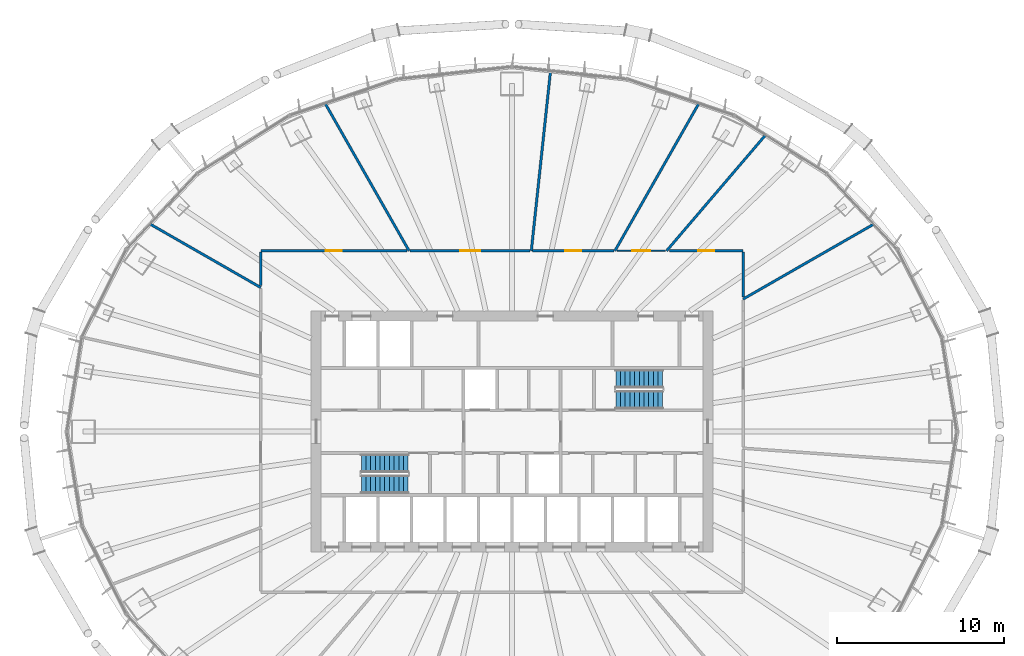
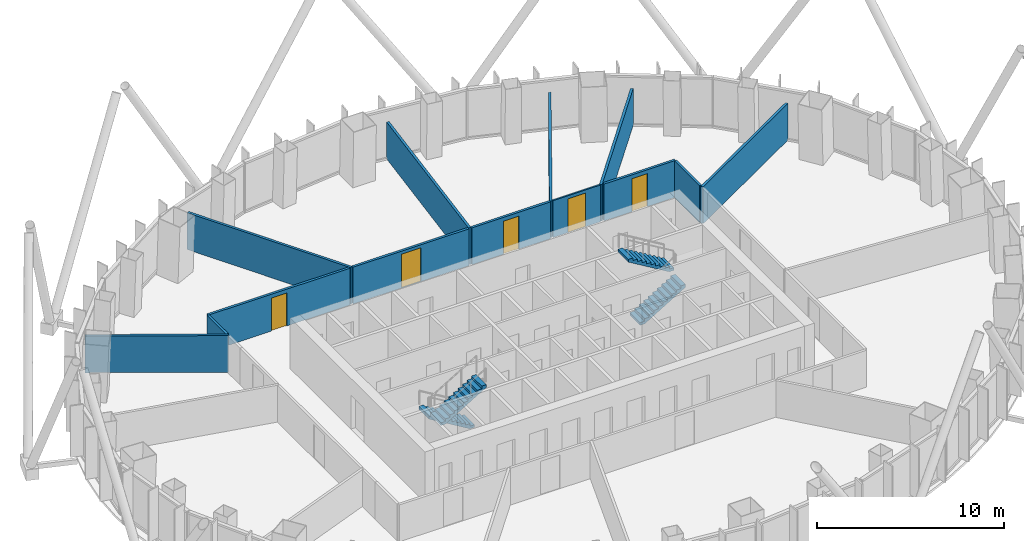
# One storey, part 10 of 18: 13 walls, 5 doors, 4 stair flights, 5 openings, 2 elements without a shape of their own.
"""IFC4 building model written with IfcOpenShell, lengths in metres."""

from ifc_helpers import new_model, si_unit, direction, frame, frame_2d, origin, place, context, subcontext, project, spatial, polyline, rectangle, outline, extrude, material, layer, layer_set, type_object, element, fill, aggregate, save


model = new_model("IFC4")

# Units and contexts
model_context = context("Model", 3, precision=1e-05, world=origin(), true_north=direction((0.0, 1.0)))
body_context = subcontext(model_context, "Body", "Model", "MODEL_VIEW")
ifc_project = project(units=[si_unit("LENGTHUNIT", "METRE"), si_unit("AREAUNIT", "SQUARE_METRE"), si_unit("VOLUMEUNIT", "CUBIC_METRE"), si_unit("PLANEANGLEUNIT", "RADIAN"), si_unit("MASSUNIT", "GRAM", prefix="KILO")], contexts=[model_context])

# Site, building, storey
site_placement = place(None, origin())
site = spatial("IfcSite", under=ifc_project, at=site_placement, CompositionType="ELEMENT")
building_placement = place(site_placement, origin())
building = spatial("IfcBuilding", under=site, at=building_placement, Name="Siaravel Broadcast Tower", CompositionType="ELEMENT")
storey_placement = place(building_placement, frame((0.0, 0.0, 81.5)))
storey = spatial("IfcBuildingStorey", under=building, at=storey_placement, Name="L19", CompositionType="ELEMENT", Elevation=81.5)

# Wall, opening, door
ifc_material_1 = material(Name="Gypsum board partition", Category="gypsum")
ifc_layer_1 = layer(ifc_material_1, 0.14990234375)
ifc_layer_set_1 = layer_set([ifc_layer_1], Name="Gypsum board partition")
wall_type_1 = type_object("IfcWallType", Name="Corridor wall 150", PredefinedType="PARTITIONING", material=ifc_layer_set_1)
wall_1_placement = place(storey_placement, frame((-6.279296875, 10.800048828125, 0.0), z_axis=(0.0, 0.0, 1.0), x_axis=(-1.0, 0.0, 0.0)))
wall_1 = element("IfcWall", 1, at=wall_1_placement, inside=storey, type_object=wall_type_1, Name="L19 partition 14", PredefinedType="PARTITIONING", context=body_context, shape_type="SweptSolid", body=[
    extrude(rectangle(XDim=8.720703125, YDim=0.14990234375, at=frame_2d((4.3603515625, 0.0))), origin(), (0.0, 0.0, 1.0), 2.39990234375),
])
opening_1_placement = place(wall_1_placement, frame((3.885498046875, 0.0, 0.0)))
opening_1 = element("IfcOpeningElement", 2, at=opening_1_placement, cuts=wall_1, Name="Opening L19-003", PredefinedType="OPENING", context=body_context, shape_type="SweptSolid", body=[
    extrude(rectangle(XDim=0.949951171875, YDim=2.14990234375, at=frame_2d((0.47509765625, 1.074951171875))), frame((0.0, 0.0849609375, 0.0), z_axis=(0.0, -1.0, 0.0), x_axis=(1.0, 0.0, 0.0)), (0.0, 0.0, 1.0), 0.169921875),
])
ifc_material_2 = material(Name="Timber veneer", Category="wood")
door_type_1 = type_object("IfcDoorType", Name="Office door 950", OperationType="SINGLE_SWING_LEFT", PredefinedType="DOOR", material=ifc_material_2)
door_1_placement = place(opening_1_placement, origin())
door_1 = element("IfcDoor", 3, at=door_1_placement, inside=storey, type_object=door_type_1, Name="L19 door to Graphics studio", OperationType="SINGLE_SWING_LEFT", OverallHeight=2.14990234375, OverallWidth=0.949951171875, PredefinedType="DOOR", context=body_context, shape_type="SweptSolid", body=[
    extrude(rectangle(XDim=0.949951171875, YDim=2.14990234375, at=frame_2d((0.47509765625, 1.074951171875))), frame((0.0, 0.02490234375, 0.0), z_axis=(0.0, -1.0, 0.0), x_axis=(1.0, 0.0, 0.0)), (0.0, 0.0, 1.0), 0.050048828125),
])
fill(opening_1, door_1)

wall_2_placement = place(storey_placement, frame((1.076904296875, 10.800048828125, 0.0), z_axis=(0.0, 0.0, 1.0), x_axis=(-1.0, 0.0, 0.0)))
wall_2 = element("IfcWall", 4, at=wall_2_placement, inside=storey, type_object=wall_type_1, Name="L19 partition 17", PredefinedType="PARTITIONING", context=body_context, shape_type="SweptSolid", body=[
    extrude(rectangle(XDim=7.157958984375, YDim=0.14990234375, at=frame_2d((3.5791015625, 0.0))), origin(), (0.0, 0.0, 1.0), 2.39990234375),
])
opening_2_placement = place(wall_2_placement, frame((2.97900390625, 0.0, 0.0)))
opening_2 = element("IfcOpeningElement", 5, at=opening_2_placement, cuts=wall_2, Name="Opening L19-002", PredefinedType="OPENING", context=body_context, shape_type="SweptSolid", body=[
    extrude(rectangle(XDim=1.199951171875, YDim=2.199951171875, at=frame_2d((0.60009765625, 1.10009765625))), frame((0.0, 0.0849609375, 0.0), z_axis=(0.0, -1.0, 0.0), x_axis=(1.0, 0.0, 0.0)), (0.0, 0.0, 1.0), 0.169921875),
])
door_type_2 = type_object("IfcDoorType", Name="Office double door 1200", OperationType="DOUBLE_DOOR_SINGLE_SWING", PredefinedType="DOOR", material=ifc_material_2)
door_2_placement = place(opening_2_placement, origin())
door_2 = element("IfcDoor", 6, at=door_2_placement, inside=storey, type_object=door_type_2, Name="L19 door to Newsroom desk office", OperationType="DOUBLE_DOOR_SINGLE_SWING", OverallHeight=2.199951171875, OverallWidth=1.199951171875, PredefinedType="DOOR", context=body_context, shape_type="SweptSolid", body=[
    extrude(rectangle(XDim=1.199951171875, YDim=2.199951171875, at=frame_2d((0.60009765625, 1.10009765625))), frame((0.0, 0.02490234375, 0.0), z_axis=(0.0, -1.0, 0.0), x_axis=(1.0, 0.0, 0.0)), (0.0, 0.0, 1.0), 0.050048828125),
])
fill(opening_2, door_2)

wall_3_placement = place(storey_placement, frame((6.0810546875, 10.800048828125, 0.0), z_axis=(0.0, 0.0, 1.0), x_axis=(-1.0, 0.0, 0.0)))
wall_3 = element("IfcWall", 7, at=wall_3_placement, inside=storey, type_object=wall_type_1, Name="L19 partition 22", PredefinedType="PARTITIONING", context=body_context, shape_type="SweptSolid", body=[
    extrude(rectangle(XDim=4.842041015625, YDim=0.14990234375, at=frame_2d((2.4208984375, 0.0))), origin(), (0.0, 0.0, 1.0), 2.39990234375),
])
opening_3_placement = place(wall_3_placement, frame((1.946044921875, 0.0, 0.0)))
opening_3 = element("IfcOpeningElement", 8, at=opening_3_placement, cuts=wall_3, Name="Opening L19-001", PredefinedType="OPENING", context=body_context, shape_type="SweptSolid", body=[
    extrude(rectangle(XDim=0.949951171875, YDim=2.14990234375, at=frame_2d((0.47509765625, 1.074951171875))), frame((0.0, 0.0849609375, 0.0), z_axis=(0.0, -1.0, 0.0), x_axis=(1.0, 0.0, 0.0)), (0.0, 0.0, 1.0), 0.169921875),
])
door_3_placement = place(opening_3_placement, origin())
door_3 = element("IfcDoor", 9, at=door_3_placement, inside=storey, type_object=door_type_1, Name="L19 door to Graphics studio", OperationType="SINGLE_SWING_LEFT", OverallHeight=2.14990234375, OverallWidth=0.949951171875, PredefinedType="DOOR", context=body_context, shape_type="SweptSolid", body=[
    extrude(rectangle(XDim=0.949951171875, YDim=2.14990234375, at=frame_2d((0.47509765625, 1.074951171875))), frame((0.0, 0.02490234375, 0.0), z_axis=(0.0, -1.0, 0.0), x_axis=(1.0, 0.0, 0.0)), (0.0, 0.0, 1.0), 0.050048828125),
])
fill(opening_3, door_3)

wall_4_placement = place(storey_placement, frame((13.800048828125, 10.800048828125, 0.0), z_axis=(0.0, 0.0, 1.0), x_axis=(-1.0, 0.0, 0.0)))
wall_4 = element("IfcWall", 10, at=wall_4_placement, inside=storey, type_object=wall_type_1, Name="L19 partition 23", PredefinedType="PARTITIONING", context=body_context, shape_type="SweptSolid", body=[
    extrude(rectangle(XDim=4.403076171875, YDim=0.14990234375, at=frame_2d((2.20166015625, 0.0))), origin(), (0.0, 0.0, 1.0), 2.39990234375),
])
opening_4_placement = place(wall_4_placement, frame((1.7265625, 0.0, 0.0)))
opening_4 = element("IfcOpeningElement", 11, at=opening_4_placement, cuts=wall_4, Name="Opening L19-012", PredefinedType="OPENING", context=body_context, shape_type="SweptSolid", body=[
    extrude(rectangle(XDim=0.949951171875, YDim=2.14990234375, at=frame_2d((0.47509765625, 1.074951171875))), frame((0.0, 0.0849609375, 0.0), z_axis=(0.0, -1.0, 0.0), x_axis=(1.0, 0.0, 0.0)), (0.0, 0.0, 1.0), 0.169921875),
])
door_4_placement = place(opening_4_placement, origin())
door_4 = element("IfcDoor", 12, at=door_4_placement, inside=storey, type_object=door_type_1, Name="L19 door to Graphics studio", OperationType="SINGLE_SWING_RIGHT", OverallHeight=2.14990234375, OverallWidth=0.949951171875, PredefinedType="DOOR", context=body_context, shape_type="SweptSolid", body=[
    extrude(rectangle(XDim=0.949951171875, YDim=2.14990234375, at=frame_2d((0.47509765625, 1.074951171875))), frame((0.0, 0.02490234375, 0.0), z_axis=(0.0, -1.0, 0.0), x_axis=(1.0, 0.0, 0.0)), (0.0, 0.0, 1.0), 0.050048828125),
])
fill(opening_4, door_4)

# Walls
wall_5_placement = place(storey_placement, frame((13.800048828125, 8.04638671875, 0.0), z_axis=(0.0, 0.0, 1.0), x_axis=(0.0, 1.0, 0.0)))
element("IfcWall", 13, at=wall_5_placement, inside=storey, type_object=wall_type_1, Name="L19 partition 26", PredefinedType="PARTITIONING", context=body_context, shape_type="SweptSolid", body=[
    extrude(rectangle(XDim=2.676513671875, YDim=0.14990234375, at=frame_2d((1.33837890625, 0.0))), origin(), (0.0, 0.0, 1.0), 2.39990234375),
])
wall_6_placement = place(storey_placement, frame((-15.0, 10.722900390625, 0.0), z_axis=(0.0, 0.0, 1.0), x_axis=(0.0, -1.0, 0.0)))
element("IfcWall", 14, at=wall_6_placement, inside=storey, type_object=wall_type_1, Name="L19 partition 29", PredefinedType="PARTITIONING", context=body_context, shape_type="SweptSolid", body=[
    extrude(rectangle(XDim=1.988037109375, YDim=0.14990234375, at=frame_2d((0.994140625, 0.0))), origin(), (0.0, 0.0, 1.0), 2.39990234375),
])

# Wall, opening, door
ifc_material_3 = material(Name="Glazed aluminium partition", Category="aluminium")
ifc_layer_2 = layer(ifc_material_3, 0.10009765625)
ifc_layer_set_2 = layer_set([ifc_layer_2], Name="Glazed aluminium partition")
wall_type_2 = type_object("IfcWallType", Name="Glazed meeting room partition 100", PredefinedType="PARTITIONING", material=ifc_layer_set_2)
wall_7_placement = place(storey_placement, frame((9.173095703125, 10.800048828125, 0.0), z_axis=(0.0, 0.0, 1.0), x_axis=(-1.0, 0.0, 0.0)))
wall_7 = element("IfcWall", 15, at=wall_7_placement, inside=storey, type_object=wall_type_2, Name="L19 partition 25", PredefinedType="PARTITIONING", context=body_context, shape_type="SweptSolid", body=[
    extrude(rectangle(XDim=2.908203125, YDim=0.10009765625, at=frame_2d((1.4541015625, 0.0))), origin(), (0.0, 0.0, 1.0), 2.39990234375),
])
opening_5_placement = place(wall_7_placement, frame((0.904052734375, 0.0, 0.0)))
opening_5 = element("IfcOpeningElement", 16, at=opening_5_placement, cuts=wall_7, Name="Opening L19-013", PredefinedType="OPENING", context=body_context, shape_type="SweptSolid", body=[
    extrude(rectangle(XDim=1.10009765625, YDim=2.199951171875, at=frame_2d((0.550048828125, 1.10009765625))), frame((0.0, 0.06005859375, 0.0), z_axis=(0.0, -1.0, 0.0), x_axis=(1.0, 0.0, 0.0)), (0.0, 0.0, 1.0), 0.1201171875),
])
door_type_3 = type_object("IfcDoorType", Name="Meeting room door 1100", OperationType="SINGLE_SWING_LEFT", PredefinedType="DOOR", material=ifc_material_2)
door_5_placement = place(opening_5_placement, origin())
door_5 = element("IfcDoor", 17, at=door_5_placement, inside=storey, type_object=door_type_3, Name="L19 door to Briefing room", OperationType="SINGLE_SWING_LEFT", OverallHeight=2.199951171875, OverallWidth=1.10009765625, PredefinedType="DOOR", context=body_context, shape_type="SweptSolid", body=[
    extrude(rectangle(XDim=1.10009765625, YDim=2.199951171875, at=frame_2d((0.550048828125, 1.10009765625))), frame((0.0, 0.02490234375, 0.0), z_axis=(0.0, -1.0, 0.0), x_axis=(1.0, 0.0, 0.0)), (0.0, 0.0, 1.0), 0.050048828125),
])
fill(opening_5, door_5)

# Walls
ifc_layer_3 = layer(ifc_material_1, 0.14990234375)
ifc_layer_set_3 = layer_set([ifc_layer_3], Name="Gypsum board partition")
wall_type_3 = type_object("IfcWallType", Name="Room partition 150", PredefinedType="PARTITIONING", material=ifc_layer_set_3)
wall_8_placement = place(storey_placement, frame((2.29931640625, 21.5283203125, 0.0), z_axis=(0.0, 0.0, 1.0), x_axis=(-0.106193554, -0.994345478, 0.0)))
element("IfcWall", 18, at=wall_8_placement, inside=storey, type_object=wall_type_3, Name="L19 partition 4", PredefinedType="PARTITIONING", context=body_context, shape_type="SweptSolid", body=[
    extrude(rectangle(XDim=10.789306640625, YDim=0.14990234375, at=frame_2d((5.39453125, 0.0))), origin(), (0.0, 0.0, 1.0), 2.39990234375),
])
wall_9_placement = place(storey_placement, frame((-11.152099609375, 19.589599609375, 0.0), z_axis=(0.0, 0.0, 1.0), x_axis=(0.494744945, -0.869038227, 0.0)))
element("IfcWall", 19, at=wall_9_placement, inside=storey, type_object=wall_type_3, Name="L19 partition 8", PredefinedType="PARTITIONING", context=body_context, shape_type="SweptSolid", body=[
    extrude(rectangle(XDim=10.114013671875, YDim=0.14990234375, at=frame_2d((5.05712890625, 0.0))), origin(), (0.0, 0.0, 1.0), 2.39990234375),
])
wall_10_placement = place(storey_placement, frame((6.148193359375, 10.800048828125, 0.0), z_axis=(0.0, 0.0, 1.0), x_axis=(0.494742146, 0.86903982, 0.0)))
element("IfcWall", 20, at=wall_10_placement, inside=storey, type_object=wall_type_3, Name="L19 partition 9", PredefinedType="PARTITIONING", context=body_context, shape_type="SweptSolid", body=[
    extrude(rectangle(XDim=10.11279296875, YDim=0.14990234375, at=frame_2d((5.056396484375, 0.0))), origin(), (0.0, 0.0, 1.0), 2.39990234375),
])
wall_11_placement = place(storey_placement, frame((15.13671875, 17.707275390625, 0.0), z_axis=(0.0, 0.0, 1.0), x_axis=(-0.649779647, -0.760122629, 0.0)))
element("IfcWall", 21, at=wall_11_placement, inside=storey, type_object=wall_type_3, Name="L19 partition 11", PredefinedType="PARTITIONING", context=body_context, shape_type="SweptSolid", body=[
    extrude(rectangle(XDim=9.0869140625, YDim=0.14990234375, at=frame_2d((4.54345703125, 0.0))), origin(), (0.0, 0.0, 1.0), 2.39990234375),
])
wall_12_placement = place(storey_placement, frame((21.624755859375, 12.40283203125, 0.0), z_axis=(0.0, 0.0, 1.0), x_axis=(-0.86745256, -0.497519905, 0.0)))
element("IfcWall", 22, at=wall_12_placement, inside=storey, type_object=wall_type_3, Name="L19 partition 13", PredefinedType="PARTITIONING", context=body_context, shape_type="SweptSolid", body=[
    extrude(rectangle(XDim=9.020263671875, YDim=0.14990234375, at=frame_2d((4.51025390625, 0.0))), origin(), (0.0, 0.0, 1.0), 2.39990234375),
])
wall_13_placement = place(storey_placement, frame((-21.626708984375, 12.404052734375, 0.0), z_axis=(0.0, 0.0, 1.0), x_axis=(0.867447493, -0.497528739, 0.0)))
element("IfcWall", 23, at=wall_13_placement, inside=storey, type_object=wall_type_3, Name="L19 partition 16", PredefinedType="PARTITIONING", context=body_context, shape_type="SweptSolid", body=[
    extrude(rectangle(XDim=7.639404296875, YDim=0.14990234375, at=frame_2d((3.81982421875, 0.0))), origin(), (0.0, 0.0, 1.0), 2.39990234375),
])

# Stair, stair flights
ifc_material_4 = material(Name="Concrete C40/50", Category="concrete")
stair_type = type_object("IfcStairType", Name="Core exit stair", PredefinedType="HALF_TURN_STAIR", material=ifc_material_4)
stair_1_placement = place(storey_placement, origin())
stair_1 = element("IfcStair", 24, at=stair_1_placement, inside=storey, type_object=stair_type, Name="L19 Exit stair ST-1", PredefinedType="HALF_TURN_STAIR")
stair_flight_type = type_object("IfcStairFlightType", Name="Stair flight 1100", PredefinedType="STRAIGHT", material=ifc_material_4)
stair_flight_1_placement = place(storey_placement, frame((-6.199951171875, -1.89990234375, 0.0), z_axis=(0.0, 0.0, 1.0), x_axis=(-1.0, 0.0, 0.0)))
stair_flight_1 = element("IfcStairFlight", 25, at=stair_flight_1_placement, type_object=stair_flight_type, Name="ST-1 flight 1", NumberOfRisers=11, NumberOfTreads=10, PredefinedType="STRAIGHT", RiserHeight=0.1681818, TreadLength=0.28, context=body_context, shape_type="SweptSolid", body=[
    extrude(outline(polyline([(0.0, 0.0), (0.0, 0.168212890625), (0.280029296875, 0.168212890625), (0.280029296875, 0.33642578125), (0.56005859375, 0.33642578125), (0.56005859375, 0.504638671875), (0.840087890625, 0.504638671875), (0.840087890625, 0.672607421875), (1.1201171875, 0.672607421875), (1.1201171875, 0.8408203125), (1.39990234375, 0.8408203125), (1.39990234375, 1.009033203125), (1.679931640625, 1.009033203125), (1.679931640625, 1.17724609375), (1.9599609375, 1.17724609375), (1.9599609375, 1.345458984375), (2.239990234375, 1.345458984375), (2.239990234375, 1.513671875), (2.52001953125, 1.513671875), (2.52001953125, 1.681884765625), (2.800048828125, 1.681884765625), (2.800048828125, 1.85009765625), (2.800048828125, 1.5068359375), (0.291015625, 0.0), (0.0, 0.0)])), frame((0.0, 0.550048828125, 0.0), z_axis=(0.0, -1.0, 0.0), x_axis=(1.0, 0.0, 0.0)), (0.0, 0.0, 1.0), 1.10009765625),
])
stair_flight_2_placement = place(storey_placement, frame((-9.0, -3.14990234375, 1.85009765625), z_axis=(0.0, 0.0, 1.0), x_axis=(1.0, 0.0, 0.0)))
stair_flight_2 = element("IfcStairFlight", 26, at=stair_flight_2_placement, type_object=stair_flight_type, Name="ST-1 flight 2", NumberOfRisers=11, NumberOfTreads=10, PredefinedType="STRAIGHT", RiserHeight=0.1681818, TreadLength=0.28, context=body_context, shape_type="SweptSolid", body=[
    extrude(outline(polyline([(0.0, 0.0), (0.0, 0.168212890625), (0.280029296875, 0.168212890625), (0.280029296875, 0.33642578125), (0.56005859375, 0.33642578125), (0.56005859375, 0.504638671875), (0.840087890625, 0.504638671875), (0.840087890625, 0.672607421875), (1.1201171875, 0.672607421875), (1.1201171875, 0.8408203125), (1.39990234375, 0.8408203125), (1.39990234375, 1.009033203125), (1.679931640625, 1.009033203125), (1.679931640625, 1.17724609375), (1.9599609375, 1.17724609375), (1.9599609375, 1.345458984375), (2.239990234375, 1.345458984375), (2.239990234375, 1.513671875), (2.52001953125, 1.513671875), (2.52001953125, 1.681884765625), (2.800048828125, 1.681884765625), (2.800048828125, 1.85009765625), (2.800048828125, 1.5068359375), (0.291015625, 0.0), (0.0, 0.0)])), frame((0.0, 0.550048828125, 0.0), z_axis=(0.0, -1.0, 0.0), x_axis=(1.0, 0.0, 0.0)), (0.0, 0.0, 1.0), 1.10009765625),
])
aggregate(stair_1, [stair_flight_1, stair_flight_2])

stair_2_placement = place(storey_placement, origin())
stair_2 = element("IfcStair", 27, at=stair_2_placement, inside=storey, type_object=stair_type, Name="L19 Exit stair ST-2", PredefinedType="HALF_TURN_STAIR")
stair_flight_3_placement = place(storey_placement, frame((6.199951171875, 1.89990234375, 0.0), z_axis=(0.0, 0.0, 1.0), x_axis=(1.0, 0.0, 0.0)))
stair_flight_3 = element("IfcStairFlight", 28, at=stair_flight_3_placement, type_object=stair_flight_type, Name="ST-2 flight 1", NumberOfRisers=11, NumberOfTreads=10, PredefinedType="STRAIGHT", RiserHeight=0.1681818, TreadLength=0.28, context=body_context, shape_type="SweptSolid", body=[
    extrude(outline(polyline([(0.0, 0.0), (0.0, 0.168212890625), (0.280029296875, 0.168212890625), (0.280029296875, 0.33642578125), (0.56005859375, 0.33642578125), (0.56005859375, 0.504638671875), (0.840087890625, 0.504638671875), (0.840087890625, 0.672607421875), (1.1201171875, 0.672607421875), (1.1201171875, 0.8408203125), (1.39990234375, 0.8408203125), (1.39990234375, 1.009033203125), (1.679931640625, 1.009033203125), (1.679931640625, 1.17724609375), (1.9599609375, 1.17724609375), (1.9599609375, 1.345458984375), (2.239990234375, 1.345458984375), (2.239990234375, 1.513671875), (2.52001953125, 1.513671875), (2.52001953125, 1.681884765625), (2.800048828125, 1.681884765625), (2.800048828125, 1.85009765625), (2.800048828125, 1.5068359375), (0.291015625, 0.0), (0.0, 0.0)])), frame((0.0, 0.550048828125, 0.0), z_axis=(0.0, -1.0, 0.0), x_axis=(1.0, 0.0, 0.0)), (0.0, 0.0, 1.0), 1.10009765625),
])
stair_flight_4_placement = place(storey_placement, frame((9.0, 3.14990234375, 1.85009765625), z_axis=(0.0, 0.0, 1.0), x_axis=(-1.0, 0.0, 0.0)))
stair_flight_4 = element("IfcStairFlight", 29, at=stair_flight_4_placement, type_object=stair_flight_type, Name="ST-2 flight 2", NumberOfRisers=11, NumberOfTreads=10, PredefinedType="STRAIGHT", RiserHeight=0.1681818, TreadLength=0.28, context=body_context, shape_type="SweptSolid", body=[
    extrude(outline(polyline([(0.0, 0.0), (0.0, 0.168212890625), (0.280029296875, 0.168212890625), (0.280029296875, 0.33642578125), (0.56005859375, 0.33642578125), (0.56005859375, 0.504638671875), (0.840087890625, 0.504638671875), (0.840087890625, 0.672607421875), (1.1201171875, 0.672607421875), (1.1201171875, 0.8408203125), (1.39990234375, 0.8408203125), (1.39990234375, 1.009033203125), (1.679931640625, 1.009033203125), (1.679931640625, 1.17724609375), (1.9599609375, 1.17724609375), (1.9599609375, 1.345458984375), (2.239990234375, 1.345458984375), (2.239990234375, 1.513671875), (2.52001953125, 1.513671875), (2.52001953125, 1.681884765625), (2.800048828125, 1.681884765625), (2.800048828125, 1.85009765625), (2.800048828125, 1.5068359375), (0.291015625, 0.0), (0.0, 0.0)])), frame((0.0, 0.550048828125, 0.0), z_axis=(0.0, -1.0, 0.0), x_axis=(1.0, 0.0, 0.0)), (0.0, 0.0, 1.0), 1.10009765625),
])
aggregate(stair_2, [stair_flight_3, stair_flight_4])

save(model, "model.ifc")
